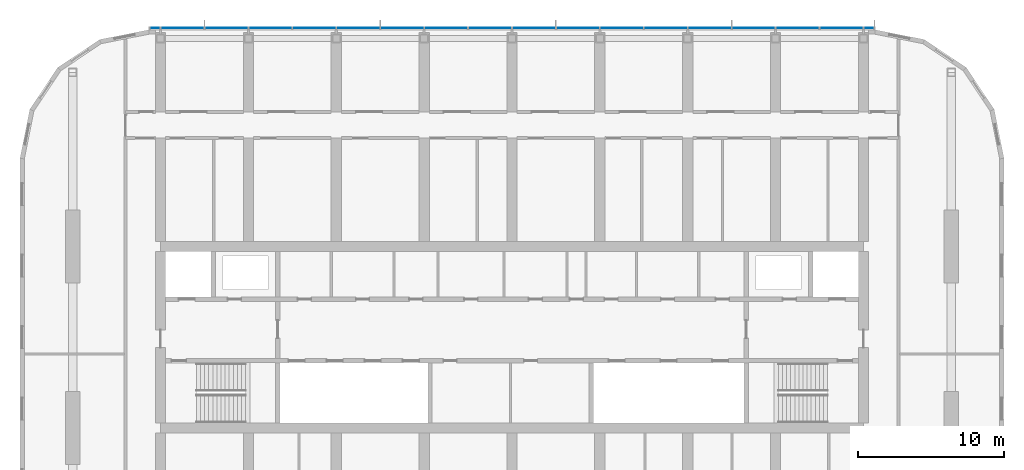
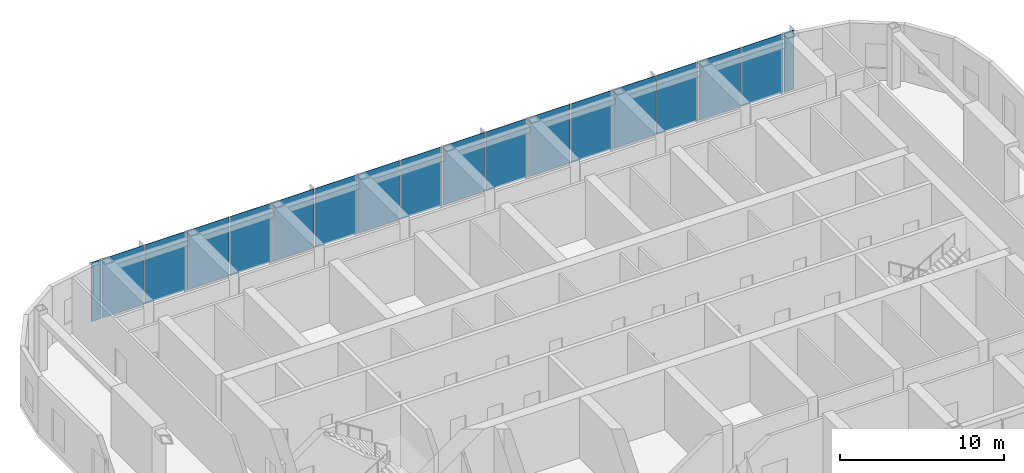
# One storey, part 9 of 21: 18 plates, 1 element without a shape of its own.
"""IFC4 building model written with IfcOpenShell, lengths in metres."""

from ifc_helpers import new_model, si_unit, direction, frame, origin, origin_2d, place, context, subcontext, project, spatial, rectangle, extrude, material, layer, layer_set, type_object, element, aggregate, save


model = new_model("IFC4")

# Units and contexts
model_context = context("Model", 3, precision=1e-05, world=origin(), true_north=direction((0.0, 1.0)))
body_context = subcontext(model_context, "Body", "Model", "MODEL_VIEW")
ifc_project = project(units=[si_unit("LENGTHUNIT", "METRE"), si_unit("AREAUNIT", "SQUARE_METRE"), si_unit("VOLUMEUNIT", "CUBIC_METRE"), si_unit("PLANEANGLEUNIT", "RADIAN"), si_unit("MASSUNIT", "GRAM", prefix="KILO")], contexts=[model_context])

# Site, building, storey
site_placement = place(None, origin())
site = spatial("IfcSite", under=ifc_project, at=site_placement, CompositionType="ELEMENT")
building_placement = place(site_placement, origin())
building = spatial("IfcBuilding", under=site, at=building_placement, Name="Orbita Commons", CompositionType="ELEMENT")
storey_placement = place(building_placement, frame((0.0, 0.0, 257.800048828125)))
storey = spatial("IfcBuildingStorey", under=building, at=storey_placement, Name="L64", CompositionType="ELEMENT", Elevation=257.800048828125)

# Curtain wall, plates
ifc_material_1 = material(Name="Anodised aluminium frame, pale silver", Category="aluminium")
curtain_wall_type = type_object("IfcCurtainWallType", Name="Unitised curtain wall CW-S, full-height", PredefinedType="NOTDEFINED", material=ifc_material_1)
curtain_wall_placement = place(storey_placement, origin())
curtain_wall = element("IfcCurtainWall", 1, at=curtain_wall_placement, inside=storey, type_object=curtain_wall_type, Name="Curtain wall north L64", PredefinedType="NOTDEFINED")
ifc_material_2 = material(Name="Low-iron glass", Category="glass")
ifc_layer = layer(ifc_material_2, 0.031982421875)
ifc_layer_set = layer_set([ifc_layer], Name="Low-iron glass")
plate_type = type_object("IfcPlateType", Name="Vision panel, clear low-iron glazing 32", PredefinedType="CURTAIN_PANEL", material=ifc_layer_set)
plate_1_placement = place(storey_placement, frame((66.3798828125, 53.110107421875, -0.199951171875), z_axis=(0.0, 0.0, 1.0), x_axis=(-1.0, 0.0, 0.0)))
plate_1 = element("IfcPlate", 2, at=plate_1_placement, type_object=plate_type, Name="Panel 1.1 CW-L64-N", PredefinedType="CURTAIN_PANEL", context=body_context, shape_type="SweptSolid", body=[
    extrude(rectangle(XDim=0.679931640625, YDim=0.031982421875, at=origin_2d()), origin(), (0.0, 0.0, 1.0), 4.39990234375),
])
plate_2_placement = place(storey_placement, frame((64.5, 53.110107421875, -0.199951171875), z_axis=(0.0, 0.0, 1.0), x_axis=(-1.0, 0.0, 0.0)))
plate_2 = element("IfcPlate", 3, at=plate_2_placement, type_object=plate_type, Name="Panel 2.1 CW-L64-N", PredefinedType="CURTAIN_PANEL", context=body_context, shape_type="SweptSolid", body=[
    extrude(rectangle(XDim=2.919921875, YDim=0.031982421875, at=origin_2d()), origin(), (0.0, 0.0, 1.0), 4.39990234375),
])
plate_3_placement = place(storey_placement, frame((61.5, 53.110107421875, -0.199951171875), z_axis=(0.0, 0.0, 1.0), x_axis=(-1.0, 0.0, 0.0)))
plate_3 = element("IfcPlate", 4, at=plate_3_placement, type_object=plate_type, Name="Panel 3.1 CW-L64-N", PredefinedType="CURTAIN_PANEL", context=body_context, shape_type="SweptSolid", body=[
    extrude(rectangle(XDim=2.919921875, YDim=0.031982421875, at=origin_2d()), origin(), (0.0, 0.0, 1.0), 4.39990234375),
])
plate_4_placement = place(storey_placement, frame((58.5, 53.110107421875, -0.199951171875), z_axis=(0.0, 0.0, 1.0), x_axis=(-1.0, 0.0, 0.0)))
plate_4 = element("IfcPlate", 5, at=plate_4_placement, type_object=plate_type, Name="Panel 4.1 CW-L64-N", PredefinedType="CURTAIN_PANEL", context=body_context, shape_type="SweptSolid", body=[
    extrude(rectangle(XDim=2.919921875, YDim=0.031982421875, at=origin_2d()), origin(), (0.0, 0.0, 1.0), 4.39990234375),
])
plate_5_placement = place(storey_placement, frame((55.5, 53.110107421875, -0.199951171875), z_axis=(0.0, 0.0, 1.0), x_axis=(-1.0, 0.0, 0.0)))
plate_5 = element("IfcPlate", 6, at=plate_5_placement, type_object=plate_type, Name="Panel 5.1 CW-L64-N", PredefinedType="CURTAIN_PANEL", context=body_context, shape_type="SweptSolid", body=[
    extrude(rectangle(XDim=2.919921875, YDim=0.031982421875, at=origin_2d()), origin(), (0.0, 0.0, 1.0), 4.39990234375),
])
plate_6_placement = place(storey_placement, frame((52.5, 53.110107421875, -0.199951171875), z_axis=(0.0, 0.0, 1.0), x_axis=(-1.0, 0.0, 0.0)))
plate_6 = element("IfcPlate", 7, at=plate_6_placement, type_object=plate_type, Name="Panel 6.1 CW-L64-N", PredefinedType="CURTAIN_PANEL", context=body_context, shape_type="SweptSolid", body=[
    extrude(rectangle(XDim=2.919921875, YDim=0.031982421875, at=origin_2d()), origin(), (0.0, 0.0, 1.0), 4.39990234375),
])
plate_7_placement = place(storey_placement, frame((49.5, 53.110107421875, -0.199951171875), z_axis=(0.0, 0.0, 1.0), x_axis=(-1.0, 0.0, 0.0)))
plate_7 = element("IfcPlate", 8, at=plate_7_placement, type_object=plate_type, Name="Panel 7.1 CW-L64-N", PredefinedType="CURTAIN_PANEL", context=body_context, shape_type="SweptSolid", body=[
    extrude(rectangle(XDim=2.919921875, YDim=0.031982421875, at=origin_2d()), origin(), (0.0, 0.0, 1.0), 4.39990234375),
])
plate_8_placement = place(storey_placement, frame((46.5, 53.110107421875, -0.199951171875), z_axis=(0.0, 0.0, 1.0), x_axis=(-1.0, 0.0, 0.0)))
plate_8 = element("IfcPlate", 9, at=plate_8_placement, type_object=plate_type, Name="Panel 8.1 CW-L64-N", PredefinedType="CURTAIN_PANEL", context=body_context, shape_type="SweptSolid", body=[
    extrude(rectangle(XDim=2.919921875, YDim=0.031982421875, at=origin_2d()), origin(), (0.0, 0.0, 1.0), 4.39990234375),
])
plate_9_placement = place(storey_placement, frame((43.5, 53.110107421875, -0.199951171875), z_axis=(0.0, 0.0, 1.0), x_axis=(-1.0, 0.0, 0.0)))
plate_9 = element("IfcPlate", 10, at=plate_9_placement, type_object=plate_type, Name="Panel 9.1 CW-L64-N", PredefinedType="CURTAIN_PANEL", context=body_context, shape_type="SweptSolid", body=[
    extrude(rectangle(XDim=2.919921875, YDim=0.031982421875, at=origin_2d()), origin(), (0.0, 0.0, 1.0), 4.39990234375),
])
plate_10_placement = place(storey_placement, frame((40.5, 53.110107421875, -0.199951171875), z_axis=(0.0, 0.0, 1.0), x_axis=(-1.0, 0.0, 0.0)))
plate_10 = element("IfcPlate", 11, at=plate_10_placement, type_object=plate_type, Name="Panel 10.1 CW-L64-N", PredefinedType="CURTAIN_PANEL", context=body_context, shape_type="SweptSolid", body=[
    extrude(rectangle(XDim=2.919921875, YDim=0.031982421875, at=origin_2d()), origin(), (0.0, 0.0, 1.0), 4.39990234375),
])
plate_11_placement = place(storey_placement, frame((37.5, 53.110107421875, -0.199951171875), z_axis=(0.0, 0.0, 1.0), x_axis=(-1.0, 0.0, 0.0)))
plate_11 = element("IfcPlate", 12, at=plate_11_placement, type_object=plate_type, Name="Panel 11.1 CW-L64-N", PredefinedType="CURTAIN_PANEL", context=body_context, shape_type="SweptSolid", body=[
    extrude(rectangle(XDim=2.919921875, YDim=0.031982421875, at=origin_2d()), origin(), (0.0, 0.0, 1.0), 4.39990234375),
])
plate_12_placement = place(storey_placement, frame((34.5, 53.110107421875, -0.199951171875), z_axis=(0.0, 0.0, 1.0), x_axis=(-1.0, 0.0, 0.0)))
plate_12 = element("IfcPlate", 13, at=plate_12_placement, type_object=plate_type, Name="Panel 12.1 CW-L64-N", PredefinedType="CURTAIN_PANEL", context=body_context, shape_type="SweptSolid", body=[
    extrude(rectangle(XDim=2.919921875, YDim=0.031982421875, at=origin_2d()), origin(), (0.0, 0.0, 1.0), 4.39990234375),
])
plate_13_placement = place(storey_placement, frame((31.5, 53.110107421875, -0.199951171875), z_axis=(0.0, 0.0, 1.0), x_axis=(-1.0, 0.0, 0.0)))
plate_13 = element("IfcPlate", 14, at=plate_13_placement, type_object=plate_type, Name="Panel 13.1 CW-L64-N", PredefinedType="CURTAIN_PANEL", context=body_context, shape_type="SweptSolid", body=[
    extrude(rectangle(XDim=2.919921875, YDim=0.031982421875, at=origin_2d()), origin(), (0.0, 0.0, 1.0), 4.39990234375),
])
plate_14_placement = place(storey_placement, frame((28.5, 53.110107421875, -0.199951171875), z_axis=(0.0, 0.0, 1.0), x_axis=(-1.0, 0.0, 0.0)))
plate_14 = element("IfcPlate", 15, at=plate_14_placement, type_object=plate_type, Name="Panel 14.1 CW-L64-N", PredefinedType="CURTAIN_PANEL", context=body_context, shape_type="SweptSolid", body=[
    extrude(rectangle(XDim=2.919921875, YDim=0.031982421875, at=origin_2d()), origin(), (0.0, 0.0, 1.0), 4.39990234375),
])
plate_15_placement = place(storey_placement, frame((25.5, 53.110107421875, -0.199951171875), z_axis=(0.0, 0.0, 1.0), x_axis=(-1.0, 0.0, 0.0)))
plate_15 = element("IfcPlate", 16, at=plate_15_placement, type_object=plate_type, Name="Panel 15.1 CW-L64-N", PredefinedType="CURTAIN_PANEL", context=body_context, shape_type="SweptSolid", body=[
    extrude(rectangle(XDim=2.919921875, YDim=0.031982421875, at=origin_2d()), origin(), (0.0, 0.0, 1.0), 4.39990234375),
])
plate_16_placement = place(storey_placement, frame((22.5, 53.110107421875, -0.199951171875), z_axis=(0.0, 0.0, 1.0), x_axis=(-1.0, 0.0, 0.0)))
plate_16 = element("IfcPlate", 17, at=plate_16_placement, type_object=plate_type, Name="Panel 16.1 CW-L64-N", PredefinedType="CURTAIN_PANEL", context=body_context, shape_type="SweptSolid", body=[
    extrude(rectangle(XDim=2.919921875, YDim=0.031982421875, at=origin_2d()), origin(), (0.0, 0.0, 1.0), 4.39990234375),
])
plate_17_placement = place(storey_placement, frame((19.5, 53.110107421875, -0.199951171875), z_axis=(0.0, 0.0, 1.0), x_axis=(-1.0, 0.0, 0.0)))
plate_17 = element("IfcPlate", 18, at=plate_17_placement, type_object=plate_type, Name="Panel 17.1 CW-L64-N", PredefinedType="CURTAIN_PANEL", context=body_context, shape_type="SweptSolid", body=[
    extrude(rectangle(XDim=2.919921875, YDim=0.031982421875, at=origin_2d()), origin(), (0.0, 0.0, 1.0), 4.39990234375),
])
plate_18_placement = place(storey_placement, frame((17.6201171875, 53.110107421875, -0.199951171875), z_axis=(0.0, 0.0, 1.0), x_axis=(-1.0, 0.0, 0.0)))
plate_18 = element("IfcPlate", 19, at=plate_18_placement, type_object=plate_type, Name="Panel 18.1 CW-L64-N", PredefinedType="CURTAIN_PANEL", context=body_context, shape_type="SweptSolid", body=[
    extrude(rectangle(XDim=0.679931640625, YDim=0.031982421875, at=origin_2d()), origin(), (0.0, 0.0, 1.0), 4.39990234375),
])
aggregate(curtain_wall, [plate_1, plate_2, plate_3, plate_4, plate_5, plate_6, plate_7, plate_8, plate_9, plate_10, plate_11, plate_12, plate_13, plate_14, plate_15, plate_16, plate_17, plate_18])

save(model, "model.ifc")
